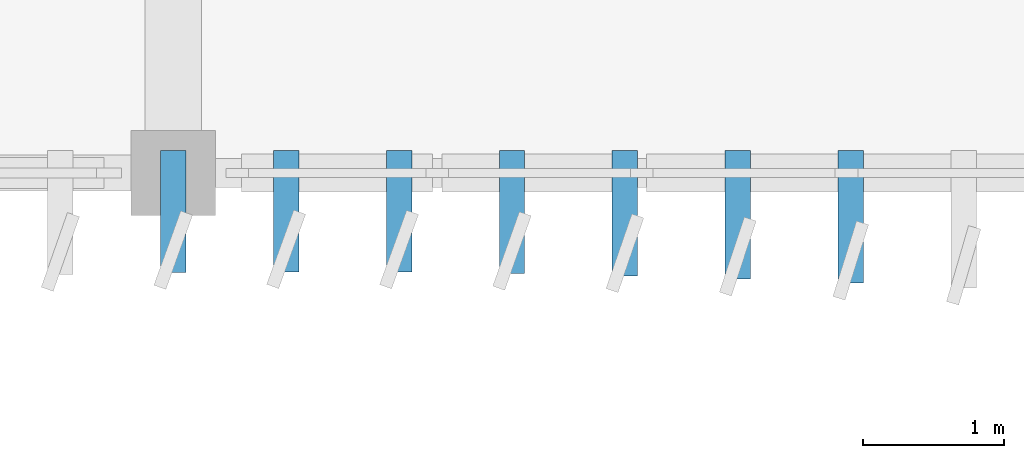
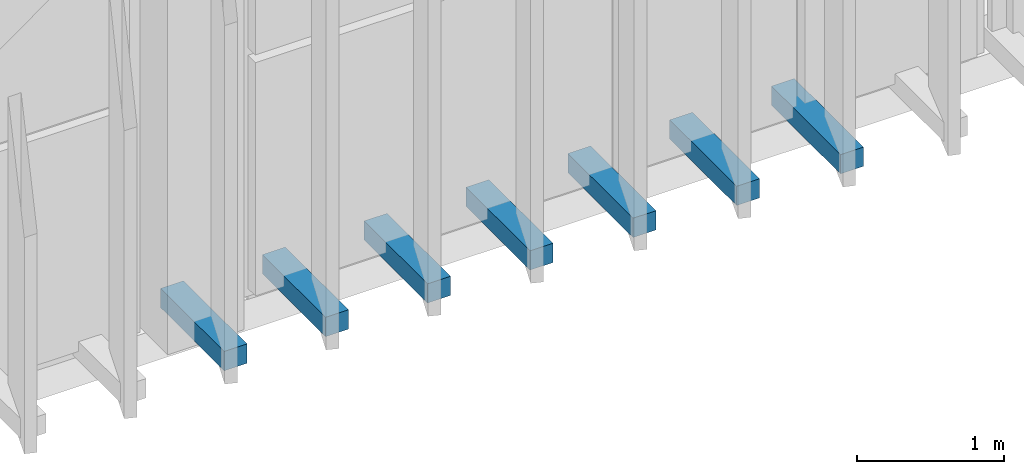
# One storey, part 51 of 64: 7 discrete accessories.
"""IFC4 building model written with IfcOpenShell, lengths in metres."""

from ifc_helpers import new_model, si_unit, direction, frame, origin, origin_2d, place, context, subcontext, project, spatial, rectangle, extrude, material, type_object, element, save


model = new_model("IFC4")

# Units and contexts
model_context = context("Model", 3, precision=1e-05, world=origin(), true_north=direction((0.0, 1.0)))
body_context = subcontext(model_context, "Body", "Model", "MODEL_VIEW")
ifc_project = project(units=[si_unit("LENGTHUNIT", "METRE"), si_unit("AREAUNIT", "SQUARE_METRE"), si_unit("VOLUMEUNIT", "CUBIC_METRE"), si_unit("PLANEANGLEUNIT", "RADIAN"), si_unit("MASSUNIT", "GRAM", prefix="KILO")], contexts=[model_context])

# Site, building, storey
site_placement = place(None, origin())
site = spatial("IfcSite", under=ifc_project, at=site_placement, CompositionType="ELEMENT")
building_placement = place(site_placement, origin())
building = spatial("IfcBuilding", under=site, at=building_placement, Name="Cinchona Park Media Centre", CompositionType="ELEMENT")
storey_placement = place(building_placement, frame((0.0, 0.0, 5.39990234375)))
storey = spatial("IfcBuildingStorey", under=building, at=storey_placement, Name="L01", CompositionType="ELEMENT", Elevation=5.39990234375)

# Discrete accessories
ifc_material = material(Name="Steel S355", Category="steel")
discrete_accessory_type = type_object("IfcDiscreteAccessoryType", Name="BRACKET-BRK01", PredefinedType="BRACKET", material=ifc_material)
discrete_accessory_1_placement = place(storey_placement, frame((126.800048828125, 74.527099609375, 0.0400390625), z_axis=(0.0, 0.0, 1.0), x_axis=(1.0, 0.0, 0.0)))
element("IfcDiscreteAccessory", 1, at=discrete_accessory_1_placement, inside=storey, type_object=discrete_accessory_type, Name="Facade Fin Outrigger Bracket L01", PredefinedType="BRACKET", context=body_context, shape_type="SweptSolid", body=[
    extrude(rectangle(XDim=0.179931640625, YDim=0.865966796875, at=origin_2d()), origin(), (0.0, 0.0, 1.0), 0.159912109375),
])
discrete_accessory_2_placement = place(storey_placement, frame((127.60009765625, 74.530029296875, 0.0400390625), z_axis=(0.0, 0.0, 1.0), x_axis=(1.0, 0.0, 0.0)))
element("IfcDiscreteAccessory", 2, at=discrete_accessory_2_placement, inside=storey, type_object=discrete_accessory_type, Name="Facade Fin Outrigger Bracket L01", PredefinedType="BRACKET", context=body_context, shape_type="SweptSolid", body=[
    extrude(rectangle(XDim=0.179931640625, YDim=0.860107421875, at=origin_2d()), origin(), (0.0, 0.0, 1.0), 0.159912109375),
])
discrete_accessory_3_placement = place(storey_placement, frame((128.39990234375, 74.529052734375, 0.0400390625), z_axis=(0.0, 0.0, 1.0), x_axis=(1.0, 0.0, 0.0)))
element("IfcDiscreteAccessory", 3, at=discrete_accessory_3_placement, inside=storey, type_object=discrete_accessory_type, Name="Facade Fin Outrigger Bracket L01", PredefinedType="BRACKET", context=body_context, shape_type="SweptSolid", body=[
    extrude(rectangle(XDim=0.179931640625, YDim=0.862060546875, at=origin_2d()), origin(), (0.0, 0.0, 1.0), 0.159912109375),
])
discrete_accessory_4_placement = place(storey_placement, frame((129.199951171875, 74.52392578125, 0.0400390625), z_axis=(0.0, 0.0, 1.0), x_axis=(1.0, 0.0, 0.0)))
element("IfcDiscreteAccessory", 4, at=discrete_accessory_4_placement, inside=storey, type_object=discrete_accessory_type, Name="Facade Fin Outrigger Bracket L01", PredefinedType="BRACKET", context=body_context, shape_type="SweptSolid", body=[
    extrude(rectangle(XDim=0.179931640625, YDim=0.8720703125, at=origin_2d()), origin(), (0.0, 0.0, 1.0), 0.159912109375),
])
discrete_accessory_5_placement = place(storey_placement, frame((130.0, 74.51611328125, 0.0400390625), z_axis=(0.0, 0.0, 1.0), x_axis=(1.0, 0.0, 0.0)))
element("IfcDiscreteAccessory", 5, at=discrete_accessory_5_placement, inside=storey, type_object=discrete_accessory_type, Name="Facade Fin Outrigger Bracket L01", PredefinedType="BRACKET", context=body_context, shape_type="SweptSolid", body=[
    extrude(rectangle(XDim=0.179931640625, YDim=0.887939453125, at=origin_2d()), origin(), (0.0, 0.0, 1.0), 0.159912109375),
])
discrete_accessory_6_placement = place(storey_placement, frame((130.800048828125, 74.50390625, 0.0400390625), z_axis=(0.0, 0.0, 1.0), x_axis=(1.0, 0.0, 0.0)))
element("IfcDiscreteAccessory", 6, at=discrete_accessory_6_placement, inside=storey, type_object=discrete_accessory_type, Name="Facade Fin Outrigger Bracket L01", PredefinedType="BRACKET", context=body_context, shape_type="SweptSolid", body=[
    extrude(rectangle(XDim=0.179931640625, YDim=0.910888671875, at=origin_2d()), origin(), (0.0, 0.0, 1.0), 0.159912109375),
])
discrete_accessory_7_placement = place(storey_placement, frame((131.60009765625, 74.489990234375, 0.0400390625), z_axis=(0.0, 0.0, 1.0), x_axis=(1.0, 0.0, 0.0)))
element("IfcDiscreteAccessory", 7, at=discrete_accessory_7_placement, inside=storey, type_object=discrete_accessory_type, Name="Facade Fin Outrigger Bracket L01", PredefinedType="BRACKET", context=body_context, shape_type="SweptSolid", body=[
    extrude(rectangle(XDim=0.179931640625, YDim=0.93994140625, at=origin_2d()), origin(), (0.0, 0.0, 1.0), 0.159912109375),
])

save(model, "model.ifc")
